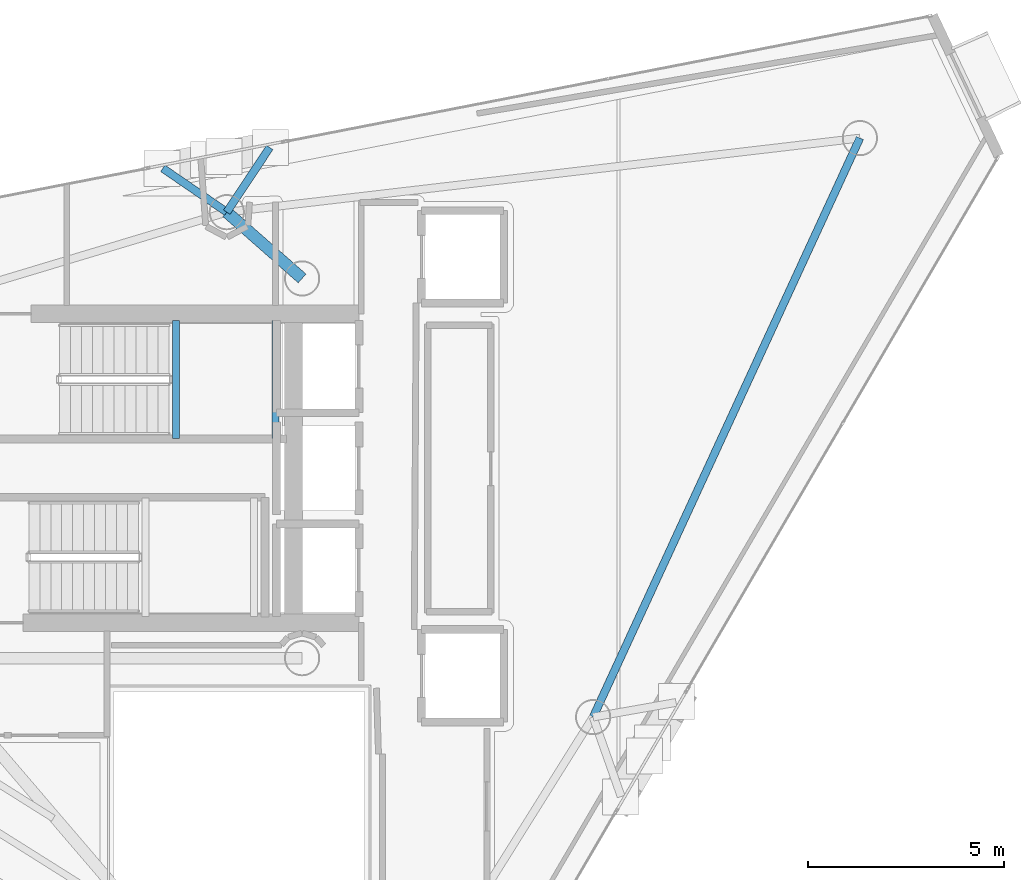
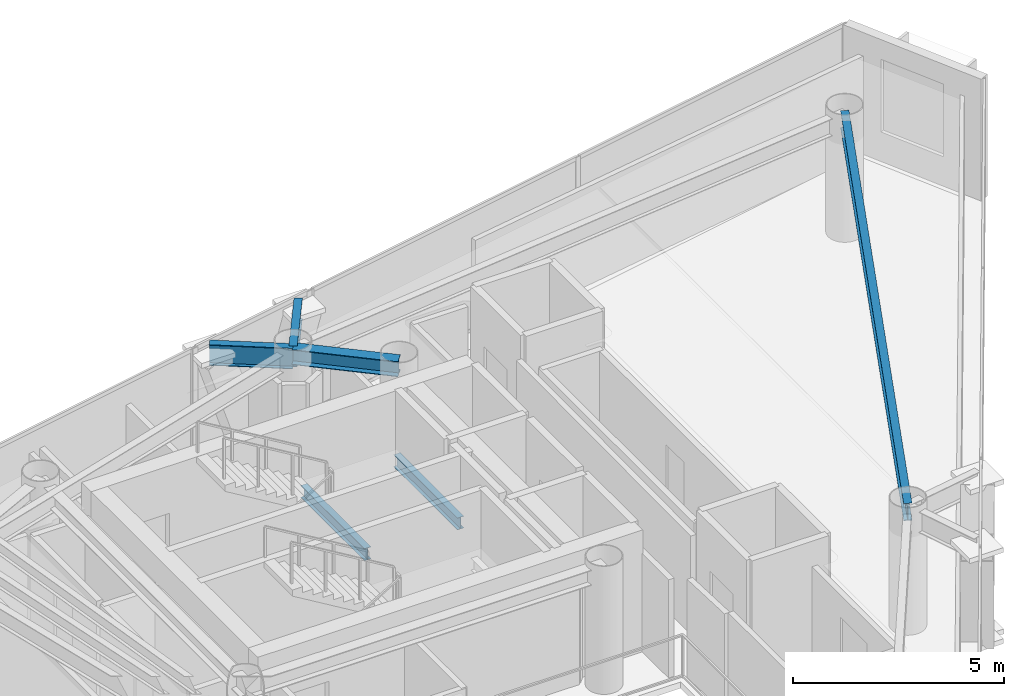
# One storey, part 13 of 22: 6 beams.
"""IFC4 building model written with IfcOpenShell, lengths in metres."""

from ifc_helpers import new_model, si_unit, direction, frame, origin, origin_2d, place, context, subcontext, project, spatial, i_section, extrude, material, material_profile, profile_set, type_object, element, save


model = new_model("IFC4")

# Units and contexts
model_context = context("Model", 3, precision=1e-05, world=origin(), true_north=direction((0.0, 1.0)))
body_context = subcontext(model_context, "Body", "Model", "MODEL_VIEW")
ifc_project = project(units=[si_unit("LENGTHUNIT", "METRE"), si_unit("AREAUNIT", "SQUARE_METRE"), si_unit("VOLUMEUNIT", "CUBIC_METRE"), si_unit("PLANEANGLEUNIT", "RADIAN"), si_unit("MASSUNIT", "GRAM", prefix="KILO")], contexts=[model_context])

# Site, building, storey
site_placement = place(None, origin())
site = spatial("IfcSite", under=ifc_project, at=site_placement, CompositionType="ELEMENT")
building_placement = place(site_placement, origin())
building = spatial("IfcBuilding", under=site, at=building_placement, Name="Qianvela Tower", CompositionType="ELEMENT")
storey_placement = place(building_placement, frame((0.0, 0.0, 299.10009765625)))
storey = spatial("IfcBuildingStorey", under=building, at=storey_placement, Name="L77", CompositionType="ELEMENT", Elevation=299.10009765625)

# Beams
ifc_material_1 = material(Name="Steel Q355B", Category="steel")
ifc_material_profile_1 = material_profile(ifc_material_1, i_section(OverallWidth=0.300048828125, OverallDepth=0.43994140625, WebThickness=0.010986328125, FlangeThickness=0.01806640625, at=origin_2d()), Name="HM440x300x11x18")
ifc_profile_set_1 = profile_set([ifc_material_profile_1], Name="Steel Q355B")
beam_type_1 = type_object("IfcBeamType", Name="BM-HM440-COLL", PredefinedType="BEAM", material=ifc_profile_set_1)
beam_1_placement = place(storey_placement, frame((38.39990234375, 33.550048828125, 3.2978515625), z_axis=(-0.750732416106, 0.660606417928, 0.0), x_axis=(-0.660606417928, -0.750732416106, 0.0)))
element("IfcBeam", 1, at=beam_1_placement, inside=storey, type_object=beam_type_1, Name="L77 Radial Primary Floor Girder 2", PredefinedType="BEAM", context=body_context, shape_type="SweptSolid", body=[
    extrude(i_section(OverallWidth=0.300048828125, OverallDepth=0.43994140625, WebThickness=0.010986328125, FlangeThickness=0.01806640625, at=origin_2d()), origin(), (0.0, 0.0, 1.0), 2.5625),
])
ifc_material_2 = material(Name="Steel Q355B", Category="steel")
ifc_material_profile_2 = material_profile(ifc_material_2, i_section(OverallWidth=0.175048828125, OverallDepth=0.35009765625, WebThickness=0.007080078125, FlangeThickness=0.010986328125, at=origin_2d()), Name="HN350x175x7x11")
ifc_profile_set_2 = profile_set([ifc_material_profile_2], Name="Steel Q355B")
beam_type_2 = type_object("IfcBeamType", Name="BM-HN350-JOIST", PredefinedType="JOIST", material=ifc_profile_set_2)
for number, where, z_axis, x_axis, name in (
    (2, (35.179931640625, 29.4599609375, 1.474853515625), (0.0, 1.0, 0.0), (-1.0, 0.0, 0.0), "L77 Stair ST-1 Landing Support Beam 1.1"),
    (3, (37.719970703125, 29.4599609375, 1.474853515625), (0.0, 1.0, 0.0), (-1.0, 0.0, 0.0), "L77 Stair ST-1 Landing Support Beam 1.2"),
):
    element("IfcBeam", number, at=place(storey_placement, frame(where, z_axis=z_axis, x_axis=x_axis)), inside=storey, type_object=beam_type_2, Name=name, PredefinedType="JOIST", context=body_context, shape_type="SweptSolid", body=[
        extrude(i_section(OverallWidth=0.175048828125, OverallDepth=0.35009765625, WebThickness=0.007080078125, FlangeThickness=0.010986328125, at=origin_2d()), origin(), (0.0, 0.0, 1.0), 3.02001953125),
    ])
ifc_material_3 = material(Name="Steel Q355B", Category="steel")
ifc_material_profile_3 = material_profile(ifc_material_3, i_section(OverallWidth=0.199951171875, OverallDepth=0.5, WebThickness=0.010009765625, FlangeThickness=0.01611328125, at=origin_2d()), Name="HN500x200x10x16")
ifc_profile_set_3 = profile_set([ifc_material_profile_3], Name="Steel Q355B")
beam_type_3 = type_object("IfcBeamType", Name="BM-HN500-GIRD", PredefinedType="BEAM", material=ifc_profile_set_3)
beam_2_placement = place(storey_placement, frame((45.833984375, 22.344970703125, 3.267822265625), z_axis=(0.418440097712, 0.908244396969, 0.0), x_axis=(-0.908244396969, 0.418440097712, 0.0)))
element("IfcBeam", 4, at=beam_2_placement, inside=storey, type_object=beam_type_3, Name="L77 Perimeter Ring Spandrel Girder 6", PredefinedType="BEAM", context=body_context, shape_type="SweptSolid", body=[
    extrude(i_section(OverallWidth=0.199951171875, OverallDepth=0.5, WebThickness=0.010009765625, FlangeThickness=0.01611328125, at=origin_2d()), origin(), (0.0, 0.0, 1.0), 16.2841796875),
])
ifc_material_4 = material(Name="Steel Q355B", Category="steel")
ifc_material_profile_4 = material_profile(ifc_material_4, i_section(OverallWidth=0.199951171875, OverallDepth=0.60009765625, WebThickness=0.010986328125, FlangeThickness=0.01708984375, at=origin_2d()), Name="HN600x200x11x17")
ifc_profile_set_4 = profile_set([ifc_material_profile_4], Name="Steel Q355B")
beam_type_4 = type_object("IfcBeamType", Name="BM-HN600-GIRD", PredefinedType="BEAM", material=ifc_profile_set_4)
for number, where, z_axis, x_axis, name in (
    (5, (36.47607421875, 35.242919921875, 3.218017578125), (0.552822691054, 0.833298909309, 0.0), (-0.833298909309, 0.552822691054, 0.0), "L77 Mega-Brace Column Tie Bracket F1-1"),
    (6, (36.47607421875, 35.242919921875, 3.218017578125), (-0.824914290653, 0.56525782885, 0.0), (-0.56525782885, -0.824914290653, 0.0), "L77 Mega-Brace Column Tie Bracket F1-2"),
):
    element("IfcBeam", number, at=place(storey_placement, frame(where, z_axis=z_axis, x_axis=x_axis)), inside=storey, type_object=beam_type_4, Name=name, PredefinedType="BEAM", context=body_context, shape_type="SweptSolid", body=[
        extrude(i_section(OverallWidth=0.199951171875, OverallDepth=0.60009765625, WebThickness=0.010986328125, FlangeThickness=0.01708984375, at=origin_2d()), origin(), (0.0, 0.0, 1.0), 1.98193359375),
    ])

save(model, "model.ifc")
